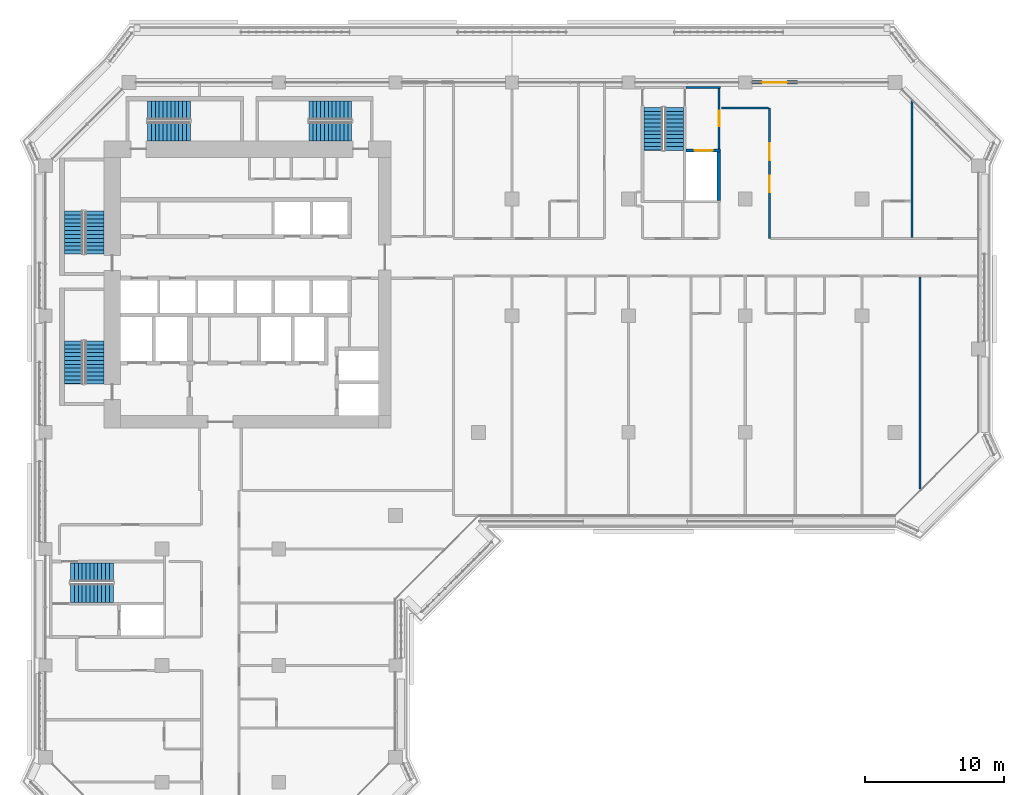
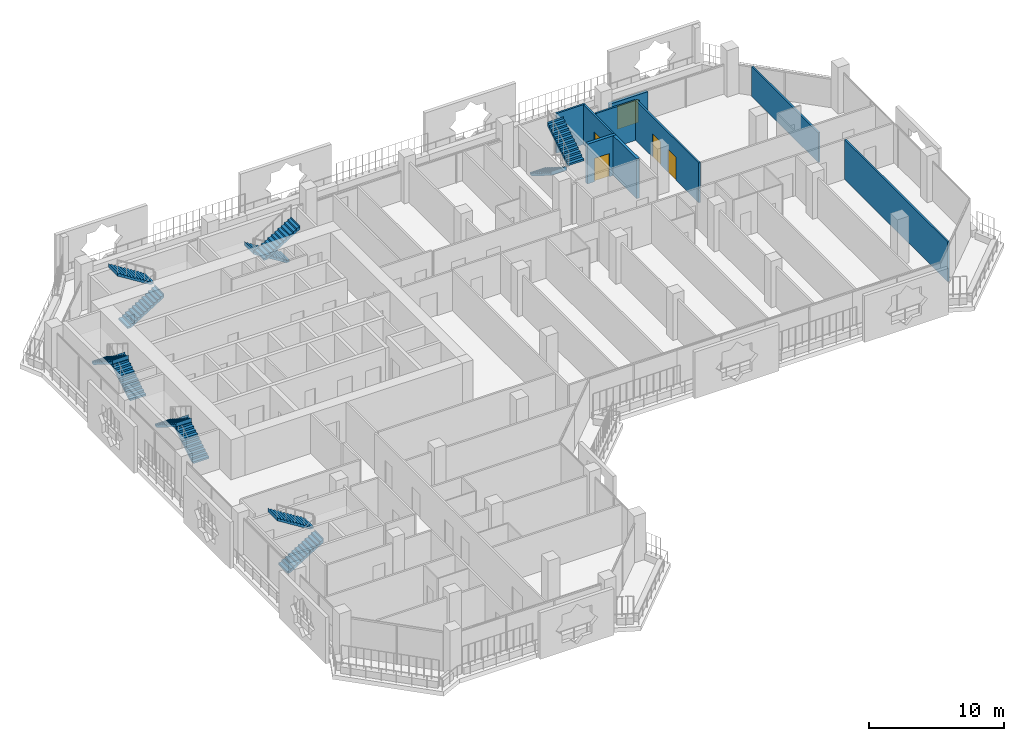
# One storey, part 14 of 21: 12 stair flights, 9 walls, 5 doors, 5 openings, 6 elements without a shape of their own.
"""IFC4 building model written with IfcOpenShell, lengths in metres."""

from ifc_helpers import new_model, si_unit, direction, frame, frame_2d, origin, place, context, subcontext, project, spatial, polyline, rectangle, outline, extrude, material, layer, layer_set, type_object, element, fill, aggregate, save


model = new_model("IFC4")

# Units and contexts
model_context = context("Model", 3, precision=1e-05, world=origin(), true_north=direction((0.0, 1.0)))
body_context = subcontext(model_context, "Body", "Model", "MODEL_VIEW")
ifc_project = project(units=[si_unit("LENGTHUNIT", "METRE"), si_unit("AREAUNIT", "SQUARE_METRE"), si_unit("VOLUMEUNIT", "CUBIC_METRE"), si_unit("PLANEANGLEUNIT", "RADIAN"), si_unit("MASSUNIT", "GRAM", prefix="KILO")], contexts=[model_context])

# Site, building, storey
site_placement = place(None, origin())
site = spatial("IfcSite", under=ifc_project, at=site_placement, CompositionType="ELEMENT")
building_placement = place(site_placement, origin())
building = spatial("IfcBuilding", under=site, at=building_placement, Name="Kawkab Arch Medical Tower", CompositionType="ELEMENT")
storey_placement = place(building_placement, frame((0.0, 0.0, 192.0)))
storey = spatial("IfcBuildingStorey", under=building, at=storey_placement, Name="L44", CompositionType="ELEMENT", Elevation=192.0)

# Wall, opening, door
ifc_material_1 = material(Name="Gypsum board on steel studs", Category="steel")
ifc_layer_1 = layer(ifc_material_1, 0.14990234375)
ifc_layer_set_1 = layer_set([ifc_layer_1], Name="Gypsum board on steel studs")
wall_type_1 = type_object("IfcWallType", Name="Core room partition 150", PredefinedType="PARTITIONING", material=ifc_layer_set_1)
wall_1_placement = place(storey_placement, frame((48.52490234375, -4.77490234375, 0.0), z_axis=(0.0, 0.0, 1.0), x_axis=(0.0, 1.0, 0.0)))
wall_1 = element("IfcWall", 1, at=wall_1_placement, inside=storey, type_object=wall_type_1, Name="L44 core room partition", PredefinedType="PARTITIONING", context=body_context, shape_type="SweptSolid", body=[
    extrude(rectangle(XDim=4.324951171875, YDim=0.14990234375, at=frame_2d((2.16259765625, 0.0))), origin(), (0.0, 0.0, 1.0), 3.60009765625),
])
opening_1_placement = place(wall_1_placement, frame((1.625, 0.0, 0.0)))
opening_1 = element("IfcOpeningElement", 2, at=opening_1_placement, cuts=wall_1, Name="Opening FD", PredefinedType="OPENING", context=body_context, shape_type="SweptSolid", body=[
    extrude(rectangle(XDim=1.10009765625, YDim=2.10009765625, at=frame_2d((0.550048828125, 1.050048828125))), frame((0.0, 0.0849609375, 0.0), z_axis=(0.0, -1.0, 0.0), x_axis=(1.0, 0.0, 0.0)), (0.0, 0.0, 1.0), 0.169921875),
])
ifc_material_2 = material(Name="Hollow metal fire door leaf")
door_type_1 = type_object("IfcDoorType", Name="Firefighting lobby door 1100", OperationType="SINGLE_SWING_LEFT", PredefinedType="DOOR", material=ifc_material_2)
door_1_placement = place(opening_1_placement, origin())
door_1 = element("IfcDoor", 3, at=door_1_placement, inside=storey, type_object=door_type_1, Name="L44 Service lift lobby door SV1", OperationType="SINGLE_SWING_LEFT", OverallHeight=2.10009765625, OverallWidth=1.10009765625, PredefinedType="DOOR", context=body_context, shape_type="SweptSolid", body=[
    extrude(rectangle(XDim=1.10009765625, YDim=2.10009765625, at=frame_2d((0.550048828125, 1.050048828125))), frame((0.0, 0.02490234375, 0.0), z_axis=(0.0, -1.0, 0.0), x_axis=(1.0, 0.0, 0.0)), (0.0, 0.0, 1.0), 0.050048828125),
])
fill(opening_1, door_1)

ifc_material_3 = material(Name="Concrete C60/75", Category="concrete")
ifc_layer_2 = layer(ifc_material_3, 0.25)
ifc_layer_set_2 = layer_set([ifc_layer_2], Name="Concrete C60/75")
wall_type_2 = type_object("IfcWallType", Name="Core shear wall 250 C60/75", PredefinedType="SHEAR", material=ifc_layer_set_2)
wall_2_placement = place(storey_placement, frame((46.14990234375, -4.89990234375, 0.0), z_axis=(0.0, 0.0, 1.0), x_axis=(1.0, 0.0, 0.0)))
wall_2 = element("IfcWall", 4, at=wall_2_placement, inside=storey, type_object=wall_type_2, Name="L44 core shear wall", PredefinedType="SHEAR", context=body_context, shape_type="SweptSolid", body=[
    extrude(rectangle(XDim=2.4501953125, YDim=0.25, at=frame_2d((1.22509765625, 0.0))), origin(), (0.0, 0.0, 1.0), 3.60009765625),
])
opening_2_placement = place(wall_2_placement, frame((0.60009765625, 0.0, 0.0)))
opening_2 = element("IfcOpeningElement", 5, at=opening_2_placement, cuts=wall_2, Name="Opening LD2", PredefinedType="OPENING", context=body_context, shape_type="SweptSolid", body=[
    extrude(rectangle(XDim=1.300048828125, YDim=2.10009765625, at=frame_2d((0.64990234375, 1.050048828125))), frame((0.0, 0.135009765625, 0.0), z_axis=(0.0, -1.0, 0.0), x_axis=(1.0, 0.0, 0.0)), (0.0, 0.0, 1.0), 0.27001953125),
])
ifc_material_4 = material(Name="Stainless steel lift door leaf", Category="steel")
door_type_2 = type_object("IfcDoorType", Name="Lift landing door 1300", OperationType="DOUBLE_DOOR_SLIDING", PredefinedType="DOOR", material=ifc_material_4)
door_2_placement = place(opening_2_placement, origin())
door_2 = element("IfcDoor", 6, at=door_2_placement, inside=storey, type_object=door_type_2, Name="L44 Lift landing door SV1", OperationType="DOUBLE_DOOR_SLIDING", OverallHeight=2.10009765625, OverallWidth=1.300048828125, PredefinedType="DOOR", context=body_context, shape_type="SweptSolid", body=[
    extrude(rectangle(XDim=1.300048828125, YDim=2.10009765625, at=frame_2d((0.64990234375, 1.050048828125))), frame((0.0, 0.02490234375, 0.0), z_axis=(0.0, -1.0, 0.0), x_axis=(1.0, 0.0, 0.0)), (0.0, 0.0, 1.0), 0.050048828125),
])
fill(opening_2, door_2)

# Wall
wall_3_placement = place(storey_placement, frame((48.47509765625, -8.5, 0.0), z_axis=(0.0, 0.0, 1.0), x_axis=(0.0, 1.0, 0.0)))
element("IfcWall", 7, at=wall_3_placement, inside=storey, type_object=wall_type_2, Name="L44 core shear wall", PredefinedType="SHEAR", context=body_context, shape_type="SweptSolid", body=[
    extrude(rectangle(XDim=3.47509765625, YDim=0.25, at=frame_2d((1.737548828125, 0.0))), origin(), (0.0, 0.0, 1.0), 3.60009765625),
])

# Wall, opening, door
ifc_material_5 = material(Name="Bronze clad insulated wall panel")
ifc_layer_3 = layer(ifc_material_5, 0.25)
ifc_layer_set_3 = layer_set([ifc_layer_3], Name="Bronze clad insulated wall panel")
wall_type_3 = type_object("IfcWallType", Name="External wall bay 250", PredefinedType="SOLIDWALL", material=ifc_layer_set_3)
wall_4_placement = place(storey_placement, frame((54.14990234375, 0.0, 0.0), z_axis=(0.0, 0.0, 1.0), x_axis=(-1.0, 0.0, 0.0)))
wall_4 = element("IfcWall", 8, at=wall_4_placement, inside=storey, type_object=wall_type_3, Name="External wall bay L44.R11.1.3", PredefinedType="SOLIDWALL", context=body_context, shape_type="SweptSolid", body=[
    extrude(rectangle(XDim=3.27490234375, YDim=0.25, at=frame_2d((1.637451171875, 0.0))), origin(), (0.0, 0.0, 1.0), 2.580078125),
])
opening_3_placement = place(wall_4_placement, frame((0.737548828125, 0.0, 0.0)))
opening_3 = element("IfcOpeningElement", 9, at=opening_3_placement, cuts=wall_4, Name="Opening W39-701", PredefinedType="OPENING", context=body_context, shape_type="SweptSolid", body=[
    extrude(rectangle(XDim=1.800048828125, YDim=2.10009765625, at=frame_2d((0.89990234375, 1.050048828125))), frame((0.0, 0.135009765625, 0.0), z_axis=(0.0, -1.0, 0.0), x_axis=(1.0, 0.0, 0.0)), (0.0, 0.0, 1.0), 0.27001953125),
])
ifc_material_6 = material(Name="Bronze anodised aluminium door with tinted glass", Category="aluminium")
door_type_3 = type_object("IfcDoorType", Name="Double external door 1800 x 2100", OperationType="DOUBLE_DOOR_SINGLE_SWING", PredefinedType="DOOR", material=ifc_material_6)
door_3_placement = place(opening_3_placement, origin())
door_3 = element("IfcDoor", 10, at=door_3_placement, inside=storey, type_object=door_type_3, Name="External door L44.R11.1.3", OperationType="DOUBLE_DOOR_SINGLE_SWING", OverallHeight=2.10009765625, OverallWidth=1.800048828125, PredefinedType="DOOR", context=body_context, shape_type="SweptSolid", body=[
    extrude(rectangle(XDim=1.800048828125, YDim=2.10009765625, at=frame_2d((0.89990234375, 1.050048828125))), frame((0.0, 0.02490234375, 0.0), z_axis=(0.0, -1.0, 0.0), x_axis=(1.0, 0.0, 0.0)), (0.0, 0.0, 1.0), 0.050048828125),
])
fill(opening_3, door_3)

# Wall
ifc_material_7 = material(Name="Gypsum board partition on steel studs, mineral wool", Category="steel")
ifc_layer_4 = layer(ifc_material_7, 0.14990234375)
ifc_layer_set_4 = layer_set([ifc_layer_4], Name="Gypsum board partition on steel studs, mineral wool")
wall_type_4 = type_object("IfcWallType", Name="Partition 150", PredefinedType="PARTITIONING", material=ifc_layer_set_4)
wall_5_placement = place(storey_placement, frame((48.679931640625, -1.85009765625, 0.0), z_axis=(0.0, 0.0, 1.0), x_axis=(1.0, 0.0, 0.0)))
element("IfcWall", 11, at=wall_5_placement, inside=storey, type_object=wall_type_4, Name="Partition 150 w039", PredefinedType="PARTITIONING", context=body_context, shape_type="SweptSolid", body=[
    extrude(rectangle(XDim=3.386962890625, YDim=0.14990234375, at=frame_2d((1.693359375, 0.0))), origin(), (0.0, 0.0, 1.0), 3.60009765625),
])

# Wall, openings, doors
wall_6_placement = place(storey_placement, frame((52.14306640625, -11.25, 0.0), z_axis=(0.0, 0.0, 1.0), x_axis=(0.0, 1.0, 0.0)))
wall_6 = element("IfcWall", 12, at=wall_6_placement, inside=storey, type_object=wall_type_4, Name="Partition 150 w066", PredefinedType="PARTITIONING", context=body_context, shape_type="SweptSolid", body=[
    extrude(rectangle(XDim=9.39794921875, YDim=0.14990234375, at=frame_2d((4.698974609375, 0.0))), origin(), (0.0, 0.0, 1.0), 3.60009765625),
])
opening_4_placement = place(wall_6_placement, frame((5.6650390625, 0.0, 0.0)))
opening_4 = element("IfcOpeningElement", 13, at=opening_4_placement, cuts=wall_6, Name="Opening W39-028", PredefinedType="OPENING", context=body_context, shape_type="SweptSolid", body=[
    extrude(rectangle(XDim=1.199951171875, YDim=2.10009765625, at=frame_2d((0.60009765625, 1.050048828125))), frame((0.0, 0.0849609375, 0.0), z_axis=(0.0, -1.0, 0.0), x_axis=(1.0, 0.0, 0.0)), (0.0, 0.0, 1.0), 0.169921875),
])
opening_5_placement = place(wall_6_placement, frame((3.3330078125, 0.0, 0.0)))
opening_5 = element("IfcOpeningElement", 14, at=opening_5_placement, cuts=wall_6, Name="Opening W39-029", PredefinedType="OPENING", context=body_context, shape_type="SweptSolid", body=[
    extrude(rectangle(XDim=1.199951171875, YDim=2.10009765625, at=frame_2d((0.60009765625, 1.050048828125))), frame((0.0, 0.0849609375, 0.0), z_axis=(0.0, -1.0, 0.0), x_axis=(1.0, 0.0, 0.0)), (0.0, 0.0, 1.0), 0.169921875),
])
ifc_material_8 = material(Name="Hollow metal door leaf")
door_type_4 = type_object("IfcDoorType", Name="Single door 1200x2100 FD30S", OperationType="NOTDEFINED", PredefinedType="DOOR", material=ifc_material_8)
door_4_placement = place(opening_4_placement, origin())
door_4 = element("IfcDoor", 15, at=door_4_placement, inside=storey, type_object=door_type_4, Name="Door W39-028", OperationType="SINGLE_SWING_LEFT", OverallHeight=2.10009765625, OverallWidth=1.199951171875, PredefinedType="DOOR", context=body_context, shape_type="SweptSolid", body=[
    extrude(rectangle(XDim=1.199951171875, YDim=2.10009765625, at=frame_2d((0.60009765625, 1.050048828125))), frame((0.0, 0.02490234375, 0.0), z_axis=(0.0, -1.0, 0.0), x_axis=(1.0, 0.0, 0.0)), (0.0, 0.0, 1.0), 0.050048828125),
])
fill(opening_4, door_4)
door_5_placement = place(opening_5_placement, origin())
door_5 = element("IfcDoor", 16, at=door_5_placement, inside=storey, type_object=door_type_4, Name="Door W39-029", OperationType="SINGLE_SWING_RIGHT", OverallHeight=2.10009765625, OverallWidth=1.199951171875, PredefinedType="DOOR", context=body_context, shape_type="SweptSolid", body=[
    extrude(rectangle(XDim=1.199951171875, YDim=2.10009765625, at=frame_2d((0.60009765625, 1.050048828125))), frame((0.0, 0.02490234375, 0.0), z_axis=(0.0, -1.0, 0.0), x_axis=(1.0, 0.0, 0.0)), (0.0, 0.0, 1.0), 0.050048828125),
])
fill(opening_5, door_5)

# Walls
wall_7_placement = place(storey_placement, frame((62.39990234375, -11.175048828125, 0.0), z_axis=(0.0, 0.0, 1.0), x_axis=(0.0, 1.0, 0.0)))
element("IfcWall", 17, at=wall_7_placement, inside=storey, type_object=wall_type_4, Name="Partition 150 w069", PredefinedType="PARTITIONING", context=body_context, shape_type="SweptSolid", body=[
    extrude(rectangle(XDim=9.862060546875, YDim=0.14990234375, at=frame_2d((4.93115234375, 0.0))), origin(), (0.0, 0.0, 1.0), 2.699951171875),
])
wall_8_placement = place(storey_placement, frame((63.0, -29.287109375, 0.0), z_axis=(0.0, 0.0, 1.0), x_axis=(0.0, 1.0, 0.0)))
element("IfcWall", 18, at=wall_8_placement, inside=storey, type_object=wall_type_4, Name="Partition 150 w070", PredefinedType="PARTITIONING", context=body_context, shape_type="SweptSolid", body=[
    extrude(rectangle(XDim=15.26220703125, YDim=0.14990234375, at=frame_2d((7.631103515625, 0.0))), origin(), (0.0, 0.0, 1.0), 3.60009765625),
])
ifc_material_9 = material(Name="Concrete C50/60", Category="concrete")
ifc_layer_5 = layer(ifc_material_9, 0.14990234375)
ifc_layer_set_5 = layer_set([ifc_layer_5], Name="Concrete C50/60")
wall_type_5 = type_object("IfcWallType", Name="Stair enclosure wall 150 C50/60", PredefinedType="SHEAR", material=ifc_layer_set_5)
wall_9_placement = place(storey_placement, frame((46.14990234375, -0.375, 0.0), z_axis=(0.0, 0.0, 1.0), x_axis=(1.0, 0.0, 0.0)))
element("IfcWall", 19, at=wall_9_placement, inside=storey, type_object=wall_type_5, Name="L44 stair enclosure wall", PredefinedType="SHEAR", context=body_context, shape_type="SweptSolid", body=[
    extrude(rectangle(XDim=2.4501953125, YDim=0.14990234375, at=frame_2d((1.22509765625, 0.0))), origin(), (0.0, 0.0, 1.0), 3.60009765625),
])

# Stair, stair flights
ifc_material_10 = material(Name="Concrete C40/50", Category="concrete")
stair_type = type_object("IfcStairType", Name="Exit stair 1350", PredefinedType="HALF_TURN_STAIR", material=ifc_material_10)
placement = place(storey_placement, origin())
stair_1 = element("IfcStair", 20, at=placement, inside=storey, type_object=stair_type, Name="L44 Exit stair ST1", PredefinedType="HALF_TURN_STAIR")
ifc_material_11 = material(Name="Concrete C40/50", Category="concrete")
stair_flight_type = type_object("IfcStairFlightType", Name="Exit stair flight 1350", PredefinedType="STRAIGHT", material=ifc_material_11)
stair_flight_1_placement = place(storey_placement, frame((3.52490234375, -12.35009765625, 0.0), z_axis=(0.0, 0.0, 1.0), x_axis=(0.0, 1.0, 0.0)))
stair_flight_1 = element("IfcStairFlight", 21, at=stair_flight_1_placement, type_object=stair_flight_type, Name="ST1 flight 1", NumberOfRisers=12, NumberOfTreads=11, PredefinedType="STRAIGHT", RiserHeight=0.175, TreadLength=0.28, context=body_context, shape_type="SweptSolid", body=[
    extrude(outline(polyline([(-0.0029296875, 0.0), (-0.0029296875, 0.175048828125), (0.0, 0.175048828125), (0.280029296875, 0.175048828125), (0.280029296875, 0.35009765625), (0.56005859375, 0.35009765625), (0.56005859375, 0.52490234375), (0.840087890625, 0.52490234375), (0.840087890625, 0.699951171875), (1.1201171875, 0.699951171875), (1.1201171875, 0.875), (1.39990234375, 0.875), (1.39990234375, 1.050048828125), (1.679931640625, 1.050048828125), (1.679931640625, 1.22509765625), (1.9599609375, 1.22509765625), (1.9599609375, 1.39990234375), (2.239990234375, 1.39990234375), (2.239990234375, 1.574951171875), (2.52001953125, 1.574951171875), (2.52001953125, 1.75), (2.800048828125, 1.75), (2.800048828125, 1.925048828125), (3.080078125, 1.925048828125), (3.080078125, 2.10009765625), (3.0830078125, 2.10009765625), (3.0830078125, 1.748291015625), (3.080078125, 1.748291015625), (0.28271484375, 0.0), (-0.0029296875, 0.0)])), frame((0.0, 0.675048828125, 0.0), z_axis=(0.0, -1.0, 0.0), x_axis=(1.0, 0.0, 0.0)), (0.0, 0.0, 1.0), 1.35009765625),
])
stair_flight_2_placement = place(storey_placement, frame((2.02490234375, -9.27001953125, 2.10009765625), z_axis=(0.0, 0.0, 1.0), x_axis=(0.0, -1.0, 0.0)))
stair_flight_2 = element("IfcStairFlight", 22, at=stair_flight_2_placement, type_object=stair_flight_type, Name="ST1 flight 2", NumberOfRisers=12, NumberOfTreads=11, PredefinedType="STRAIGHT", RiserHeight=0.175, TreadLength=0.28, context=body_context, shape_type="SweptSolid", body=[
    extrude(outline(polyline([(-0.0029296875, 0.0), (-0.0029296875, 0.175048828125), (0.0, 0.175048828125), (0.280029296875, 0.175048828125), (0.280029296875, 0.35009765625), (0.56005859375, 0.35009765625), (0.56005859375, 0.52490234375), (0.840087890625, 0.52490234375), (0.840087890625, 0.699951171875), (1.1201171875, 0.699951171875), (1.1201171875, 0.875), (1.39990234375, 0.875), (1.39990234375, 1.050048828125), (1.679931640625, 1.050048828125), (1.679931640625, 1.22509765625), (1.9599609375, 1.22509765625), (1.9599609375, 1.39990234375), (2.239990234375, 1.39990234375), (2.239990234375, 1.574951171875), (2.52001953125, 1.574951171875), (2.52001953125, 1.75), (2.800048828125, 1.75), (2.800048828125, 1.925048828125), (3.080078125, 1.925048828125), (3.080078125, 2.10009765625), (3.0830078125, 2.10009765625), (3.0830078125, 1.748291015625), (3.080078125, 1.748291015625), (0.28271484375, 0.0), (-0.0029296875, 0.0)])), frame((0.0, 0.675048828125, 0.0), z_axis=(0.0, -1.0, 0.0), x_axis=(1.0, 0.0, 0.0)), (0.0, 0.0, 1.0), 1.35009765625),
])
aggregate(stair_1, [stair_flight_1, stair_flight_2])

stair_2 = element("IfcStair", 23, at=placement, inside=storey, type_object=stair_type, Name="L44 Exit stair ST2", PredefinedType="HALF_TURN_STAIR")
stair_flight_3_placement = place(storey_placement, frame((3.52490234375, -21.699951171875, 0.0), z_axis=(0.0, 0.0, 1.0), x_axis=(0.0, 1.0, 0.0)))
stair_flight_3 = element("IfcStairFlight", 24, at=stair_flight_3_placement, type_object=stair_flight_type, Name="ST2 flight 1", NumberOfRisers=12, NumberOfTreads=11, PredefinedType="STRAIGHT", RiserHeight=0.175, TreadLength=0.28, context=body_context, shape_type="SweptSolid", body=[
    extrude(outline(polyline([(-0.0029296875, 0.0), (-0.0029296875, 0.175048828125), (0.0, 0.175048828125), (0.280029296875, 0.175048828125), (0.280029296875, 0.35009765625), (0.56005859375, 0.35009765625), (0.56005859375, 0.52490234375), (0.840087890625, 0.52490234375), (0.840087890625, 0.699951171875), (1.1201171875, 0.699951171875), (1.1201171875, 0.875), (1.39990234375, 0.875), (1.39990234375, 1.050048828125), (1.679931640625, 1.050048828125), (1.679931640625, 1.22509765625), (1.9599609375, 1.22509765625), (1.9599609375, 1.39990234375), (2.239990234375, 1.39990234375), (2.239990234375, 1.574951171875), (2.52001953125, 1.574951171875), (2.52001953125, 1.75), (2.800048828125, 1.75), (2.800048828125, 1.925048828125), (3.080078125, 1.925048828125), (3.080078125, 2.10009765625), (3.0830078125, 2.10009765625), (3.0830078125, 1.748291015625), (3.080078125, 1.748291015625), (0.28271484375, 0.0), (-0.0029296875, 0.0)])), frame((0.0, 0.675048828125, 0.0), z_axis=(0.0, -1.0, 0.0), x_axis=(1.0, 0.0, 0.0)), (0.0, 0.0, 1.0), 1.35009765625),
])
stair_flight_4_placement = place(storey_placement, frame((2.02490234375, -18.6201171875, 2.10009765625), z_axis=(0.0, 0.0, 1.0), x_axis=(0.0, -1.0, 0.0)))
stair_flight_4 = element("IfcStairFlight", 25, at=stair_flight_4_placement, type_object=stair_flight_type, Name="ST2 flight 2", NumberOfRisers=12, NumberOfTreads=11, PredefinedType="STRAIGHT", RiserHeight=0.175, TreadLength=0.28, context=body_context, shape_type="SweptSolid", body=[
    extrude(outline(polyline([(-0.0029296875, 0.0), (-0.0029296875, 0.175048828125), (0.0, 0.175048828125), (0.280029296875, 0.175048828125), (0.280029296875, 0.35009765625), (0.56005859375, 0.35009765625), (0.56005859375, 0.52490234375), (0.840087890625, 0.52490234375), (0.840087890625, 0.699951171875), (1.1201171875, 0.699951171875), (1.1201171875, 0.875), (1.39990234375, 0.875), (1.39990234375, 1.050048828125), (1.679931640625, 1.050048828125), (1.679931640625, 1.22509765625), (1.9599609375, 1.22509765625), (1.9599609375, 1.39990234375), (2.239990234375, 1.39990234375), (2.239990234375, 1.574951171875), (2.52001953125, 1.574951171875), (2.52001953125, 1.75), (2.800048828125, 1.75), (2.800048828125, 1.925048828125), (3.080078125, 1.925048828125), (3.080078125, 2.10009765625), (3.0830078125, 2.10009765625), (3.0830078125, 1.748291015625), (3.080078125, 1.748291015625), (0.28271484375, 0.0), (-0.0029296875, 0.0)])), frame((0.0, 0.675048828125, 0.0), z_axis=(0.0, -1.0, 0.0), x_axis=(1.0, 0.0, 0.0)), (0.0, 0.0, 1.0), 1.35009765625),
])
aggregate(stair_2, [stair_flight_3, stair_flight_4])

stair_3 = element("IfcStair", 26, at=placement, inside=storey, type_object=stair_type, Name="L44 Exit stair ST3", PredefinedType="HALF_TURN_STAIR")
stair_flight_5_placement = place(storey_placement, frame((7.35009765625, -3.52490234375, 0.0), z_axis=(0.0, 0.0, 1.0), x_axis=(1.0, 0.0, 0.0)))
stair_flight_5 = element("IfcStairFlight", 27, at=stair_flight_5_placement, type_object=stair_flight_type, Name="ST3 flight 1", NumberOfRisers=12, NumberOfTreads=11, PredefinedType="STRAIGHT", RiserHeight=0.175, TreadLength=0.28, context=body_context, shape_type="SweptSolid", body=[
    extrude(outline(polyline([(-0.0029296875, 0.0), (-0.0029296875, 0.175048828125), (0.0, 0.175048828125), (0.280029296875, 0.175048828125), (0.280029296875, 0.35009765625), (0.56005859375, 0.35009765625), (0.56005859375, 0.52490234375), (0.840087890625, 0.52490234375), (0.840087890625, 0.699951171875), (1.1201171875, 0.699951171875), (1.1201171875, 0.875), (1.39990234375, 0.875), (1.39990234375, 1.050048828125), (1.679931640625, 1.050048828125), (1.679931640625, 1.22509765625), (1.9599609375, 1.22509765625), (1.9599609375, 1.39990234375), (2.239990234375, 1.39990234375), (2.239990234375, 1.574951171875), (2.52001953125, 1.574951171875), (2.52001953125, 1.75), (2.800048828125, 1.75), (2.800048828125, 1.925048828125), (3.080078125, 1.925048828125), (3.080078125, 2.10009765625), (3.0830078125, 2.10009765625), (3.0830078125, 1.748291015625), (3.080078125, 1.748291015625), (0.28271484375, 0.0), (-0.0029296875, 0.0)])), frame((0.0, 0.675048828125, 0.0), z_axis=(0.0, -1.0, 0.0), x_axis=(1.0, 0.0, 0.0)), (0.0, 0.0, 1.0), 1.35009765625),
])
stair_flight_6_placement = place(storey_placement, frame((10.429931640625, -2.02490234375, 2.10009765625), z_axis=(0.0, 0.0, 1.0), x_axis=(-1.0, 0.0, 0.0)))
stair_flight_6 = element("IfcStairFlight", 28, at=stair_flight_6_placement, type_object=stair_flight_type, Name="ST3 flight 2", NumberOfRisers=12, NumberOfTreads=11, PredefinedType="STRAIGHT", RiserHeight=0.175, TreadLength=0.28, context=body_context, shape_type="SweptSolid", body=[
    extrude(outline(polyline([(-0.0029296875, 0.0), (-0.0029296875, 0.175048828125), (0.0, 0.175048828125), (0.280029296875, 0.175048828125), (0.280029296875, 0.35009765625), (0.56005859375, 0.35009765625), (0.56005859375, 0.52490234375), (0.840087890625, 0.52490234375), (0.840087890625, 0.699951171875), (1.1201171875, 0.699951171875), (1.1201171875, 0.875), (1.39990234375, 0.875), (1.39990234375, 1.050048828125), (1.679931640625, 1.050048828125), (1.679931640625, 1.22509765625), (1.9599609375, 1.22509765625), (1.9599609375, 1.39990234375), (2.239990234375, 1.39990234375), (2.239990234375, 1.574951171875), (2.52001953125, 1.574951171875), (2.52001953125, 1.75), (2.800048828125, 1.75), (2.800048828125, 1.925048828125), (3.080078125, 1.925048828125), (3.080078125, 2.10009765625), (3.0830078125, 2.10009765625), (3.0830078125, 1.748291015625), (3.080078125, 1.748291015625), (0.28271484375, 0.0), (-0.0029296875, 0.0)])), frame((0.0, 0.675048828125, 0.0), z_axis=(0.0, -1.0, 0.0), x_axis=(1.0, 0.0, 0.0)), (0.0, 0.0, 1.0), 1.35009765625),
])
aggregate(stair_3, [stair_flight_5, stair_flight_6])

stair_4 = element("IfcStair", 29, at=placement, inside=storey, type_object=stair_type, Name="L44 Exit stair ST4", PredefinedType="HALF_TURN_STAIR")
stair_flight_7_placement = place(storey_placement, frame((22.050048828125, -2.02490234375, 0.0), z_axis=(0.0, 0.0, 1.0), x_axis=(-1.0, 0.0, 0.0)))
stair_flight_7 = element("IfcStairFlight", 30, at=stair_flight_7_placement, type_object=stair_flight_type, Name="ST4 flight 1", NumberOfRisers=12, NumberOfTreads=11, PredefinedType="STRAIGHT", RiserHeight=0.175, TreadLength=0.28, context=body_context, shape_type="SweptSolid", body=[
    extrude(outline(polyline([(-0.0029296875, 0.0), (-0.0029296875, 0.175048828125), (0.0, 0.175048828125), (0.280029296875, 0.175048828125), (0.280029296875, 0.35009765625), (0.56005859375, 0.35009765625), (0.56005859375, 0.52490234375), (0.840087890625, 0.52490234375), (0.840087890625, 0.699951171875), (1.1201171875, 0.699951171875), (1.1201171875, 0.875), (1.39990234375, 0.875), (1.39990234375, 1.050048828125), (1.679931640625, 1.050048828125), (1.679931640625, 1.22509765625), (1.9599609375, 1.22509765625), (1.9599609375, 1.39990234375), (2.239990234375, 1.39990234375), (2.239990234375, 1.574951171875), (2.52001953125, 1.574951171875), (2.52001953125, 1.75), (2.800048828125, 1.75), (2.800048828125, 1.925048828125), (3.080078125, 1.925048828125), (3.080078125, 2.10009765625), (3.0830078125, 2.10009765625), (3.0830078125, 1.748291015625), (3.080078125, 1.748291015625), (0.28271484375, 0.0), (-0.0029296875, 0.0)])), frame((0.0, 0.675048828125, 0.0), z_axis=(0.0, -1.0, 0.0), x_axis=(1.0, 0.0, 0.0)), (0.0, 0.0, 1.0), 1.35009765625),
])
stair_flight_8_placement = place(storey_placement, frame((18.969970703125, -3.52490234375, 2.10009765625), z_axis=(0.0, 0.0, 1.0), x_axis=(1.0, 0.0, 0.0)))
stair_flight_8 = element("IfcStairFlight", 31, at=stair_flight_8_placement, type_object=stair_flight_type, Name="ST4 flight 2", NumberOfRisers=12, NumberOfTreads=11, PredefinedType="STRAIGHT", RiserHeight=0.175, TreadLength=0.28, context=body_context, shape_type="SweptSolid", body=[
    extrude(outline(polyline([(-0.0029296875, 0.0), (-0.0029296875, 0.175048828125), (0.0, 0.175048828125), (0.280029296875, 0.175048828125), (0.280029296875, 0.35009765625), (0.56005859375, 0.35009765625), (0.56005859375, 0.52490234375), (0.840087890625, 0.52490234375), (0.840087890625, 0.699951171875), (1.1201171875, 0.699951171875), (1.1201171875, 0.875), (1.39990234375, 0.875), (1.39990234375, 1.050048828125), (1.679931640625, 1.050048828125), (1.679931640625, 1.22509765625), (1.9599609375, 1.22509765625), (1.9599609375, 1.39990234375), (2.239990234375, 1.39990234375), (2.239990234375, 1.574951171875), (2.52001953125, 1.574951171875), (2.52001953125, 1.75), (2.800048828125, 1.75), (2.800048828125, 1.925048828125), (3.080078125, 1.925048828125), (3.080078125, 2.10009765625), (3.0830078125, 2.10009765625), (3.0830078125, 1.748291015625), (3.080078125, 1.748291015625), (0.28271484375, 0.0), (-0.0029296875, 0.0)])), frame((0.0, 0.675048828125, 0.0), z_axis=(0.0, -1.0, 0.0), x_axis=(1.0, 0.0, 0.0)), (0.0, 0.0, 1.0), 1.35009765625),
])
aggregate(stair_4, [stair_flight_7, stair_flight_8])

stair_5 = element("IfcStair", 32, at=placement, inside=storey, type_object=stair_type, Name="L44 Exit stair ST5", PredefinedType="HALF_TURN_STAIR")
stair_flight_9_placement = place(storey_placement, frame((43.77490234375, -1.800048828125, 0.0), z_axis=(0.0, 0.0, 1.0), x_axis=(0.0, -1.0, 0.0)))
stair_flight_9 = element("IfcStairFlight", 33, at=stair_flight_9_placement, type_object=stair_flight_type, Name="ST5 flight 1", NumberOfRisers=12, NumberOfTreads=11, PredefinedType="STRAIGHT", RiserHeight=0.175, TreadLength=0.28, context=body_context, shape_type="SweptSolid", body=[
    extrude(outline(polyline([(-0.0029296875, 0.0), (-0.0029296875, 0.175048828125), (0.0, 0.175048828125), (0.280029296875, 0.175048828125), (0.280029296875, 0.35009765625), (0.56005859375, 0.35009765625), (0.56005859375, 0.52490234375), (0.840087890625, 0.52490234375), (0.840087890625, 0.699951171875), (1.1201171875, 0.699951171875), (1.1201171875, 0.875), (1.39990234375, 0.875), (1.39990234375, 1.050048828125), (1.679931640625, 1.050048828125), (1.679931640625, 1.22509765625), (1.9599609375, 1.22509765625), (1.9599609375, 1.39990234375), (2.239990234375, 1.39990234375), (2.239990234375, 1.574951171875), (2.52001953125, 1.574951171875), (2.52001953125, 1.75), (2.800048828125, 1.75), (2.800048828125, 1.925048828125), (3.080078125, 1.925048828125), (3.080078125, 2.10009765625), (3.0830078125, 2.10009765625), (3.0830078125, 1.748291015625), (3.080078125, 1.748291015625), (0.28271484375, 0.0), (-0.0029296875, 0.0)])), frame((0.0, 0.675048828125, 0.0), z_axis=(0.0, -1.0, 0.0), x_axis=(1.0, 0.0, 0.0)), (0.0, 0.0, 1.0), 1.35009765625),
])
stair_flight_10_placement = place(storey_placement, frame((45.27490234375, -4.8798828125, 2.10009765625), z_axis=(0.0, 0.0, 1.0), x_axis=(0.0, 1.0, 0.0)))
stair_flight_10 = element("IfcStairFlight", 34, at=stair_flight_10_placement, type_object=stair_flight_type, Name="ST5 flight 2", NumberOfRisers=12, NumberOfTreads=11, PredefinedType="STRAIGHT", RiserHeight=0.175, TreadLength=0.28, context=body_context, shape_type="SweptSolid", body=[
    extrude(outline(polyline([(-0.0029296875, 0.0), (-0.0029296875, 0.175048828125), (0.0, 0.175048828125), (0.280029296875, 0.175048828125), (0.280029296875, 0.35009765625), (0.56005859375, 0.35009765625), (0.56005859375, 0.52490234375), (0.840087890625, 0.52490234375), (0.840087890625, 0.699951171875), (1.1201171875, 0.699951171875), (1.1201171875, 0.875), (1.39990234375, 0.875), (1.39990234375, 1.050048828125), (1.679931640625, 1.050048828125), (1.679931640625, 1.22509765625), (1.9599609375, 1.22509765625), (1.9599609375, 1.39990234375), (2.239990234375, 1.39990234375), (2.239990234375, 1.574951171875), (2.52001953125, 1.574951171875), (2.52001953125, 1.75), (2.800048828125, 1.75), (2.800048828125, 1.925048828125), (3.080078125, 1.925048828125), (3.080078125, 2.10009765625), (3.0830078125, 2.10009765625), (3.0830078125, 1.748291015625), (3.080078125, 1.748291015625), (0.28271484375, 0.0), (-0.0029296875, 0.0)])), frame((0.0, 0.675048828125, 0.0), z_axis=(0.0, -1.0, 0.0), x_axis=(1.0, 0.0, 0.0)), (0.0, 0.0, 1.0), 1.35009765625),
])
aggregate(stair_5, [stair_flight_9, stair_flight_10])

stair_6 = element("IfcStair", 35, at=placement, inside=storey, type_object=stair_type, Name="L44 Exit stair ST6", PredefinedType="HALF_TURN_STAIR")
stair_flight_11_placement = place(storey_placement, frame((1.800048828125, -36.77490234375, 0.0), z_axis=(0.0, 0.0, 1.0), x_axis=(1.0, 0.0, 0.0)))
stair_flight_11 = element("IfcStairFlight", 36, at=stair_flight_11_placement, type_object=stair_flight_type, Name="ST6 flight 1", NumberOfRisers=12, NumberOfTreads=11, PredefinedType="STRAIGHT", RiserHeight=0.175, TreadLength=0.28, context=body_context, shape_type="SweptSolid", body=[
    extrude(outline(polyline([(-0.0029296875, 0.0), (-0.0029296875, 0.175048828125), (0.0, 0.175048828125), (0.280029296875, 0.175048828125), (0.280029296875, 0.35009765625), (0.56005859375, 0.35009765625), (0.56005859375, 0.52490234375), (0.840087890625, 0.52490234375), (0.840087890625, 0.699951171875), (1.1201171875, 0.699951171875), (1.1201171875, 0.875), (1.39990234375, 0.875), (1.39990234375, 1.050048828125), (1.679931640625, 1.050048828125), (1.679931640625, 1.22509765625), (1.9599609375, 1.22509765625), (1.9599609375, 1.39990234375), (2.239990234375, 1.39990234375), (2.239990234375, 1.574951171875), (2.52001953125, 1.574951171875), (2.52001953125, 1.75), (2.800048828125, 1.75), (2.800048828125, 1.925048828125), (3.080078125, 1.925048828125), (3.080078125, 2.10009765625), (3.0830078125, 2.10009765625), (3.0830078125, 1.748291015625), (3.080078125, 1.748291015625), (0.28271484375, 0.0), (-0.0029296875, 0.0)])), frame((0.0, 0.675048828125, 0.0), z_axis=(0.0, -1.0, 0.0), x_axis=(1.0, 0.0, 0.0)), (0.0, 0.0, 1.0), 1.35009765625),
])
stair_flight_12_placement = place(storey_placement, frame((4.8798828125, -35.27490234375, 2.10009765625), z_axis=(0.0, 0.0, 1.0), x_axis=(-1.0, 0.0, 0.0)))
stair_flight_12 = element("IfcStairFlight", 37, at=stair_flight_12_placement, type_object=stair_flight_type, Name="ST6 flight 2", NumberOfRisers=12, NumberOfTreads=11, PredefinedType="STRAIGHT", RiserHeight=0.175, TreadLength=0.28, context=body_context, shape_type="SweptSolid", body=[
    extrude(outline(polyline([(-0.0029296875, 0.0), (-0.0029296875, 0.175048828125), (0.0, 0.175048828125), (0.280029296875, 0.175048828125), (0.280029296875, 0.35009765625), (0.56005859375, 0.35009765625), (0.56005859375, 0.52490234375), (0.840087890625, 0.52490234375), (0.840087890625, 0.699951171875), (1.1201171875, 0.699951171875), (1.1201171875, 0.875), (1.39990234375, 0.875), (1.39990234375, 1.050048828125), (1.679931640625, 1.050048828125), (1.679931640625, 1.22509765625), (1.9599609375, 1.22509765625), (1.9599609375, 1.39990234375), (2.239990234375, 1.39990234375), (2.239990234375, 1.574951171875), (2.52001953125, 1.574951171875), (2.52001953125, 1.75), (2.800048828125, 1.75), (2.800048828125, 1.925048828125), (3.080078125, 1.925048828125), (3.080078125, 2.10009765625), (3.0830078125, 2.10009765625), (3.0830078125, 1.748291015625), (3.080078125, 1.748291015625), (0.28271484375, 0.0), (-0.0029296875, 0.0)])), frame((0.0, 0.675048828125, 0.0), z_axis=(0.0, -1.0, 0.0), x_axis=(1.0, 0.0, 0.0)), (0.0, 0.0, 1.0), 1.35009765625),
])
aggregate(stair_6, [stair_flight_11, stair_flight_12])

save(model, "model.ifc")
